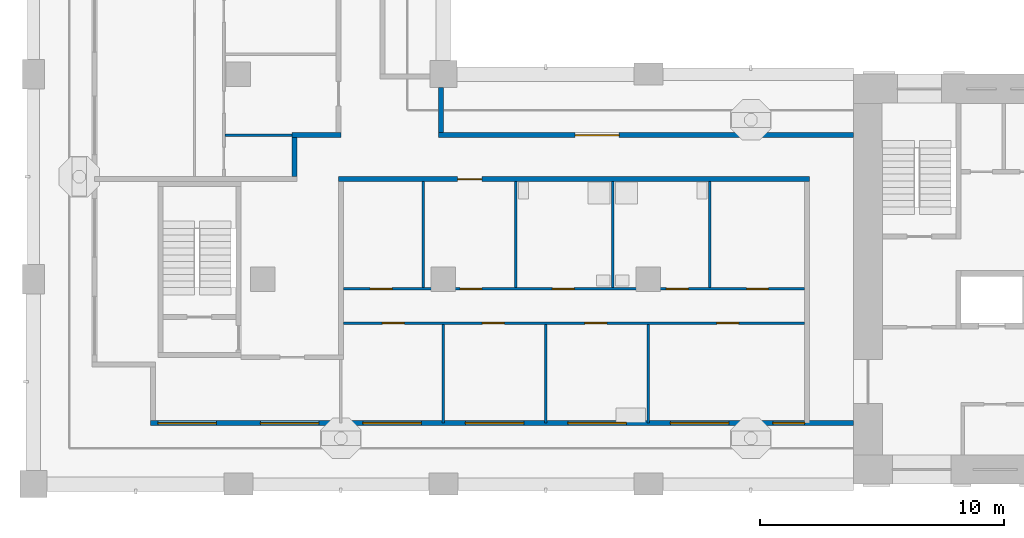
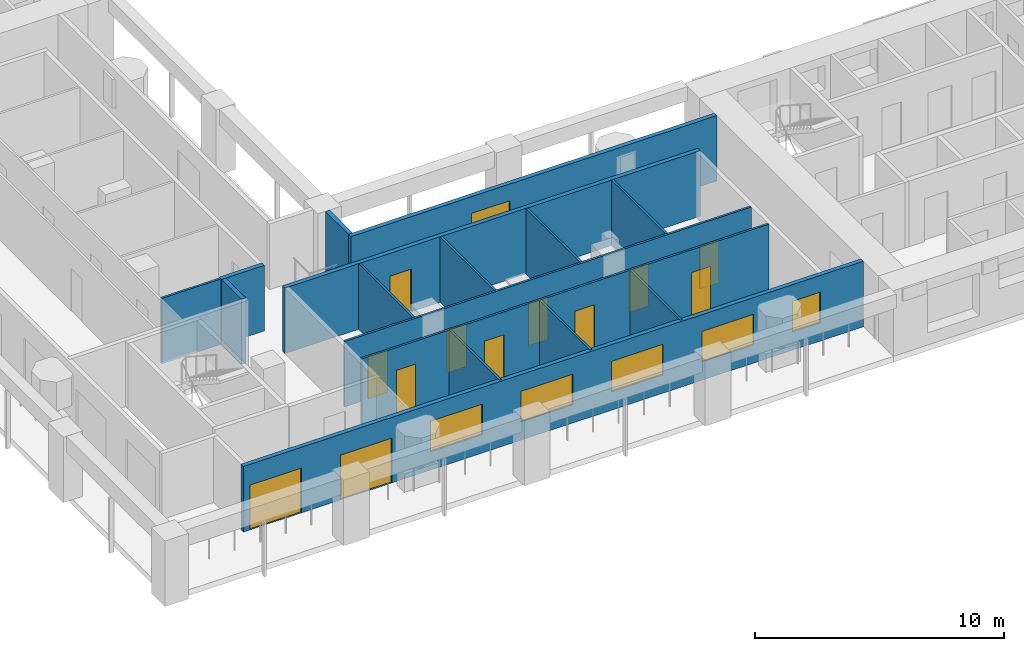
# One storey, part 2 of 13: 16 walls, 13 doors, 5 windows, 18 openings.
"""IFC4 building model written with IfcOpenShell, lengths in metres."""

from ifc_helpers import new_model, si_unit, direction, frame, frame_2d, origin, place, context, subcontext, project, spatial, rectangle, extrude, material, layer, layer_set, type_object, element, fill, save


model = new_model("IFC4")

# Units and contexts
model_context = context("Model", 3, precision=1e-05, world=origin(), true_north=direction((0.0, 1.0)))
body_context = subcontext(model_context, "Body", "Model", "MODEL_VIEW")
ifc_project = project(units=[si_unit("LENGTHUNIT", "METRE"), si_unit("AREAUNIT", "SQUARE_METRE"), si_unit("VOLUMEUNIT", "CUBIC_METRE"), si_unit("PLANEANGLEUNIT", "RADIAN"), si_unit("MASSUNIT", "GRAM", prefix="KILO")], contexts=[model_context])

# Site, building, storey
site_placement = place(None, origin())
site = spatial("IfcSite", under=ifc_project, at=site_placement, CompositionType="ELEMENT")
building_placement = place(site_placement, origin())
building = spatial("IfcBuilding", under=site, at=building_placement, Name="Vermilion Gate Residences", CompositionType="ELEMENT")
storey_placement = place(building_placement, frame((0.0, 0.0, 196.699951171875)))
storey = spatial("IfcBuildingStorey", under=building, at=storey_placement, Name="L51", CompositionType="ELEMENT", Elevation=196.699951171875)

# Wall, openings, doors, windows
ifc_material_1 = material(Name="Insulated steel stud wall with terracotta rainscreen", Category="masonry")
ifc_layer_1 = layer(ifc_material_1, 0.199951171875)
ifc_layer_set_1 = layer_set([ifc_layer_1], Name="EXTERNAL WALL 200 TERRACOTTA RAINSCREEN")
wall_type_1 = type_object("IfcWallType", Name="EXTERNAL WALL 200 TERRACOTTA RAINSCREEN", PredefinedType="SOLIDWALL", material=ifc_layer_set_1)
wall_1_placement = place(storey_placement, frame((13.199951171875, 10.89990234375, 0.0), z_axis=(0.0, 0.0, 1.0), x_axis=(1.0, 0.0, 0.0)))
wall_1 = element("IfcWall", 1, at=wall_1_placement, inside=storey, type_object=wall_type_1, Name="External wall", PredefinedType="SOLIDWALL", context=body_context, shape_type="SweptSolid", body=[
    extrude(rectangle(XDim=28.800048828125, YDim=0.199951171875, at=frame_2d((14.39990234375, 0.0))), origin(), (0.0, 0.0, 1.0), 3.219970703125),
])
opening_1_placement = place(wall_1_placement, frame((0.300048828125, 0.0, 0.0)))
opening_1 = element("IfcOpeningElement", 2, at=opening_1_placement, cuts=wall_1, Name="Opening DE51008", PredefinedType="OPENING", context=body_context, shape_type="SweptSolid", body=[
    extrude(rectangle(XDim=2.39990234375, YDim=2.199951171875, at=frame_2d((1.199951171875, 1.10009765625))), frame((0.0, 0.10986328125, 0.0), z_axis=(0.0, -1.0, 0.0), x_axis=(1.0, 0.0, 0.0)), (0.0, 0.0, 1.0), 0.219970703125),
])
opening_2_placement = place(wall_1_placement, frame((4.5, 0.0, 0.0)))
opening_2 = element("IfcOpeningElement", 3, at=opening_2_placement, cuts=wall_1, Name="Opening DE51009", PredefinedType="OPENING", context=body_context, shape_type="SweptSolid", body=[
    extrude(rectangle(XDim=2.39990234375, YDim=2.199951171875, at=frame_2d((1.199951171875, 1.10009765625))), frame((0.0, 0.10986328125, 0.0), z_axis=(0.0, -1.0, 0.0), x_axis=(1.0, 0.0, 0.0)), (0.0, 0.0, 1.0), 0.219970703125),
])
opening_3_placement = place(wall_1_placement, frame((8.699951171875, 0.0, 0.89990234375)))
opening_3 = element("IfcOpeningElement", 4, at=opening_3_placement, cuts=wall_1, Name="Opening WE51010", PredefinedType="OPENING", context=body_context, shape_type="SweptSolid", body=[
    extrude(rectangle(XDim=2.39990234375, YDim=1.5, at=frame_2d((1.199951171875, 0.75))), frame((0.0, 0.10986328125, 0.0), z_axis=(0.0, -1.0, 0.0), x_axis=(1.0, 0.0, 0.0)), (0.0, 0.0, 1.0), 0.219970703125),
])
opening_4_placement = place(wall_1_placement, frame((12.89990234375, 0.0, 0.89990234375)))
opening_4 = element("IfcOpeningElement", 5, at=opening_4_placement, cuts=wall_1, Name="Opening WE51011", PredefinedType="OPENING", context=body_context, shape_type="SweptSolid", body=[
    extrude(rectangle(XDim=2.39990234375, YDim=1.5, at=frame_2d((1.199951171875, 0.75))), frame((0.0, 0.10986328125, 0.0), z_axis=(0.0, -1.0, 0.0), x_axis=(1.0, 0.0, 0.0)), (0.0, 0.0, 1.0), 0.219970703125),
])
opening_5_placement = place(wall_1_placement, frame((17.10009765625, 0.0, 0.89990234375)))
opening_5 = element("IfcOpeningElement", 6, at=opening_5_placement, cuts=wall_1, Name="Opening WE51012", PredefinedType="OPENING", context=body_context, shape_type="SweptSolid", body=[
    extrude(rectangle(XDim=2.39990234375, YDim=1.5, at=frame_2d((1.199951171875, 0.75))), frame((0.0, 0.10986328125, 0.0), z_axis=(0.0, -1.0, 0.0), x_axis=(1.0, 0.0, 0.0)), (0.0, 0.0, 1.0), 0.219970703125),
])
opening_6_placement = place(wall_1_placement, frame((21.300048828125, 0.0, 0.89990234375)))
opening_6 = element("IfcOpeningElement", 7, at=opening_6_placement, cuts=wall_1, Name="Opening WE51013", PredefinedType="OPENING", context=body_context, shape_type="SweptSolid", body=[
    extrude(rectangle(XDim=2.39990234375, YDim=1.5, at=frame_2d((1.199951171875, 0.75))), frame((0.0, 0.10986328125, 0.0), z_axis=(0.0, -1.0, 0.0), x_axis=(1.0, 0.0, 0.0)), (0.0, 0.0, 1.0), 0.219970703125),
])
opening_7_placement = place(wall_1_placement, frame((25.5, 0.0, 0.89990234375)))
opening_7 = element("IfcOpeningElement", 8, at=opening_7_placement, cuts=wall_1, Name="Opening WE51014", PredefinedType="OPENING", context=body_context, shape_type="SweptSolid", body=[
    extrude(rectangle(XDim=1.300048828125, YDim=1.5, at=frame_2d((0.64990234375, 0.75))), frame((0.0, 0.10986328125, 0.0), z_axis=(0.0, -1.0, 0.0), x_axis=(1.0, 0.0, 0.0)), (0.0, 0.0, 1.0), 0.219970703125),
])
ifc_material_2 = material(Name="Aluminium and clear glass", Category="aluminium")
door_type_1 = type_object("IfcDoorType", Name="SLIDING GLAZED DOOR 2400 X 2200", OperationType="DOUBLE_DOOR_SLIDING", PredefinedType="DOOR", material=ifc_material_2)
door_1_placement = place(opening_1_placement, origin())
door_1 = element("IfcDoor", 9, at=door_1_placement, inside=storey, type_object=door_type_1, Name="Loggia sliding door", OperationType="DOUBLE_DOOR_SLIDING", OverallHeight=2.199951171875, OverallWidth=2.39990234375, PredefinedType="DOOR", context=body_context, shape_type="SweptSolid", body=[
    extrude(rectangle(XDim=2.39990234375, YDim=2.199951171875, at=frame_2d((1.199951171875, 1.10009765625))), frame((0.0, 0.02490234375, 0.0), z_axis=(0.0, -1.0, 0.0), x_axis=(1.0, 0.0, 0.0)), (0.0, 0.0, 1.0), 0.050048828125),
])
fill(opening_1, door_1)
door_2_placement = place(opening_2_placement, origin())
door_2 = element("IfcDoor", 10, at=door_2_placement, inside=storey, type_object=door_type_1, Name="Loggia sliding door", OperationType="DOUBLE_DOOR_SLIDING", OverallHeight=2.199951171875, OverallWidth=2.39990234375, PredefinedType="DOOR", context=body_context, shape_type="SweptSolid", body=[
    extrude(rectangle(XDim=2.39990234375, YDim=2.199951171875, at=frame_2d((1.199951171875, 1.10009765625))), frame((0.0, 0.02490234375, 0.0), z_axis=(0.0, -1.0, 0.0), x_axis=(1.0, 0.0, 0.0)), (0.0, 0.0, 1.0), 0.050048828125),
])
fill(opening_2, door_2)
ifc_material_3 = material(Name="Aluminium and clear glass", Category="aluminium")
window_type_1 = type_object("IfcWindowType", Name="WINDOW 1300 X 1500", PartitioningType="SINGLE_PANEL", PredefinedType="WINDOW", material=ifc_material_3)
window_1_placement = place(opening_7_placement, origin())
window_1 = element("IfcWindow", 11, at=window_1_placement, inside=storey, type_object=window_type_1, Name="Window", OverallHeight=1.5, OverallWidth=1.300048828125, PartitioningType="SINGLE_PANEL", PredefinedType="WINDOW", context=body_context, shape_type="SweptSolid", body=[
    extrude(rectangle(XDim=1.300048828125, YDim=1.5, at=frame_2d((0.64990234375, 0.75))), frame((0.0, 0.030029296875, 0.0), z_axis=(0.0, -1.0, 0.0), x_axis=(1.0, 0.0, 0.0)), (0.0, 0.0, 1.0), 0.06005859375),
])
fill(opening_7, window_1)
ifc_material_4 = material(Name="Aluminium and clear glass", Category="aluminium")
window_type_2 = type_object("IfcWindowType", Name="WINDOW 2400 X 1500", PartitioningType="SINGLE_PANEL", PredefinedType="WINDOW", material=ifc_material_4)
window_2_placement = place(opening_3_placement, origin())
window_2 = element("IfcWindow", 12, at=window_2_placement, inside=storey, type_object=window_type_2, Name="Window", OverallHeight=1.5, OverallWidth=2.39990234375, PartitioningType="SINGLE_PANEL", PredefinedType="WINDOW", context=body_context, shape_type="SweptSolid", body=[
    extrude(rectangle(XDim=2.39990234375, YDim=1.5, at=frame_2d((1.199951171875, 0.75))), frame((0.0, 0.030029296875, 0.0), z_axis=(0.0, -1.0, 0.0), x_axis=(1.0, 0.0, 0.0)), (0.0, 0.0, 1.0), 0.06005859375),
])
fill(opening_3, window_2)
window_3_placement = place(opening_4_placement, origin())
window_3 = element("IfcWindow", 13, at=window_3_placement, inside=storey, type_object=window_type_2, Name="Window", OverallHeight=1.5, OverallWidth=2.39990234375, PartitioningType="SINGLE_PANEL", PredefinedType="WINDOW", context=body_context, shape_type="SweptSolid", body=[
    extrude(rectangle(XDim=2.39990234375, YDim=1.5, at=frame_2d((1.199951171875, 0.75))), frame((0.0, 0.030029296875, 0.0), z_axis=(0.0, -1.0, 0.0), x_axis=(1.0, 0.0, 0.0)), (0.0, 0.0, 1.0), 0.06005859375),
])
fill(opening_4, window_3)
window_4_placement = place(opening_5_placement, origin())
window_4 = element("IfcWindow", 14, at=window_4_placement, inside=storey, type_object=window_type_2, Name="Window", OverallHeight=1.5, OverallWidth=2.39990234375, PartitioningType="SINGLE_PANEL", PredefinedType="WINDOW", context=body_context, shape_type="SweptSolid", body=[
    extrude(rectangle(XDim=2.39990234375, YDim=1.5, at=frame_2d((1.199951171875, 0.75))), frame((0.0, 0.030029296875, 0.0), z_axis=(0.0, -1.0, 0.0), x_axis=(1.0, 0.0, 0.0)), (0.0, 0.0, 1.0), 0.06005859375),
])
fill(opening_5, window_4)
window_5_placement = place(opening_6_placement, origin())
window_5 = element("IfcWindow", 15, at=window_5_placement, inside=storey, type_object=window_type_2, Name="Window", OverallHeight=1.5, OverallWidth=2.39990234375, PartitioningType="SINGLE_PANEL", PredefinedType="WINDOW", context=body_context, shape_type="SweptSolid", body=[
    extrude(rectangle(XDim=2.39990234375, YDim=1.5, at=frame_2d((1.199951171875, 0.75))), frame((0.0, 0.030029296875, 0.0), z_axis=(0.0, -1.0, 0.0), x_axis=(1.0, 0.0, 0.0)), (0.0, 0.0, 1.0), 0.06005859375),
])
fill(opening_6, window_5)

# Wall, opening, door
wall_2_placement = place(storey_placement, frame((42.0, 22.699951171875, 0.0), z_axis=(0.0, 0.0, 1.0), x_axis=(-1.0, 0.0, 0.0)))
wall_2 = element("IfcWall", 16, at=wall_2_placement, inside=storey, type_object=wall_type_1, Name="External wall", PredefinedType="SOLIDWALL", context=body_context, shape_type="SweptSolid", body=[
    extrude(rectangle(XDim=17.0, YDim=0.199951171875, at=frame_2d((8.5, 0.0))), origin(), (0.0, 0.0, 1.0), 3.219970703125),
])
opening_8_placement = place(wall_2_placement, frame((9.60009765625, 0.0, 0.0)))
opening_8 = element("IfcOpeningElement", 17, at=opening_8_placement, cuts=wall_2, Name="Opening DE51020", PredefinedType="OPENING", context=body_context, shape_type="SweptSolid", body=[
    extrude(rectangle(XDim=1.800048828125, YDim=2.39990234375, at=frame_2d((0.89990234375, 1.199951171875))), frame((0.0, 0.10986328125, 0.0), z_axis=(0.0, -1.0, 0.0), x_axis=(1.0, 0.0, 0.0)), (0.0, 0.0, 1.0), 0.219970703125),
])
ifc_material_5 = material(Name="Aluminium and clear glass", Category="aluminium")
door_type_2 = type_object("IfcDoorType", Name="GLAZED EXTERNAL DOOR 1800 X 2400", OperationType="DOUBLE_DOOR_SINGLE_SWING", PredefinedType="DOOR", material=ifc_material_5)
door_3_placement = place(opening_8_placement, frame((1.800048828125, 0.0, 0.0), z_axis=(0.0, 0.0, 1.0), x_axis=(-1.0, 0.0, 0.0)))
door_3 = element("IfcDoor", 18, at=door_3_placement, inside=storey, type_object=door_type_2, Name="Gallery door", OperationType="DOUBLE_DOOR_SINGLE_SWING", OverallHeight=2.39990234375, OverallWidth=1.800048828125, PredefinedType="DOOR", context=body_context, shape_type="SweptSolid", body=[
    extrude(rectangle(XDim=1.800048828125, YDim=2.39990234375, at=frame_2d((0.89990234375, 1.199951171875))), frame((0.0, 0.02490234375, 0.0), z_axis=(0.0, -1.0, 0.0), x_axis=(1.0, 0.0, 0.0)), (0.0, 0.0, 1.0), 0.050048828125),
])
fill(opening_8, door_3)

# Wall
wall_3_placement = place(storey_placement, frame((25.10009765625, 22.800048828125, 0.0), z_axis=(0.0, 0.0, 1.0), x_axis=(0.0, 1.0, 0.0)))
element("IfcWall", 19, at=wall_3_placement, inside=storey, type_object=wall_type_1, Name="External wall", PredefinedType="SOLIDWALL", context=body_context, shape_type="SweptSolid", body=[
    extrude(rectangle(XDim=1.849853515625, YDim=0.199951171875, at=frame_2d((0.9248046875, 0.0))), origin(), (0.0, 0.0, 1.0), 3.219970703125),
])

# Wall, openings, doors
ifc_material_6 = material(Name="Plasterboard on steel studs", Category="steel")
ifc_layer_2 = layer(ifc_material_6, 0.10009765625)
ifc_layer_set_2 = layer_set([ifc_layer_2], Name="PARTITION 100")
wall_type_2 = type_object("IfcWallType", Name="PARTITION 100", PredefinedType="PARTITIONING", material=ifc_layer_set_2)
wall_4_placement = place(storey_placement, frame((21.10009765625, 15.0, 0.0), z_axis=(0.0, 0.0, 1.0), x_axis=(1.0, 0.0, 0.0)))
wall_4 = element("IfcWall", 20, at=wall_4_placement, inside=storey, type_object=wall_type_2, Name="Partition", PredefinedType="PARTITIONING", context=body_context, shape_type="SweptSolid", body=[
    extrude(rectangle(XDim=18.89990234375, YDim=0.10009765625, at=frame_2d((9.449951171875, 0.0))), origin(), (0.0, 0.0, 1.0), 3.219970703125),
])
opening_9_placement = place(wall_4_placement, frame((1.60009765625, 0.0, 0.0)))
opening_9 = element("IfcOpeningElement", 21, at=opening_9_placement, cuts=wall_4, Name="Opening DA49002", PredefinedType="OPENING", context=body_context, shape_type="SweptSolid", body=[
    extrude(rectangle(XDim=0.89990234375, YDim=2.10009765625, at=frame_2d((0.449951171875, 1.050048828125))), frame((0.0, 0.06005859375, 0.0), z_axis=(0.0, -1.0, 0.0), x_axis=(1.0, 0.0, 0.0)), (0.0, 0.0, 1.0), 0.1201171875),
])
opening_10_placement = place(wall_4_placement, frame((5.699951171875, 0.0, 0.0)))
opening_10 = element("IfcOpeningElement", 22, at=opening_10_placement, cuts=wall_4, Name="Opening DA49003", PredefinedType="OPENING", context=body_context, shape_type="SweptSolid", body=[
    extrude(rectangle(XDim=0.89990234375, YDim=2.10009765625, at=frame_2d((0.449951171875, 1.050048828125))), frame((0.0, 0.06005859375, 0.0), z_axis=(0.0, -1.0, 0.0), x_axis=(1.0, 0.0, 0.0)), (0.0, 0.0, 1.0), 0.1201171875),
])
opening_11_placement = place(wall_4_placement, frame((9.89990234375, 0.0, 0.0)))
opening_11 = element("IfcOpeningElement", 23, at=opening_11_placement, cuts=wall_4, Name="Opening DA49004", PredefinedType="OPENING", context=body_context, shape_type="SweptSolid", body=[
    extrude(rectangle(XDim=0.89990234375, YDim=2.10009765625, at=frame_2d((0.449951171875, 1.050048828125))), frame((0.0, 0.06005859375, 0.0), z_axis=(0.0, -1.0, 0.0), x_axis=(1.0, 0.0, 0.0)), (0.0, 0.0, 1.0), 0.1201171875),
])
opening_12_placement = place(wall_4_placement, frame((15.300048828125, 0.0, 0.0)))
opening_12 = element("IfcOpeningElement", 24, at=opening_12_placement, cuts=wall_4, Name="Opening DA49005", PredefinedType="OPENING", context=body_context, shape_type="SweptSolid", body=[
    extrude(rectangle(XDim=0.89990234375, YDim=2.10009765625, at=frame_2d((0.449951171875, 1.050048828125))), frame((0.0, 0.06005859375, 0.0), z_axis=(0.0, -1.0, 0.0), x_axis=(1.0, 0.0, 0.0)), (0.0, 0.0, 1.0), 0.1201171875),
])
ifc_material_7 = material(Name="Timber", Category="wood")
door_type_3 = type_object("IfcDoorType", Name="INTERIOR DOOR 900 X 2100", OperationType="SINGLE_SWING_LEFT", PredefinedType="DOOR", material=ifc_material_7)
door_4_placement = place(opening_9_placement, frame((0.89990234375, 0.0, 0.0), z_axis=(0.0, 0.0, 1.0), x_axis=(-1.0, 0.0, 0.0)))
door_4 = element("IfcDoor", 25, at=door_4_placement, inside=storey, type_object=door_type_3, Name="Interior door", OperationType="SINGLE_SWING_LEFT", OverallHeight=2.10009765625, OverallWidth=0.89990234375, PredefinedType="DOOR", context=body_context, shape_type="SweptSolid", body=[
    extrude(rectangle(XDim=0.89990234375, YDim=2.10009765625, at=frame_2d((0.449951171875, 1.050048828125))), frame((0.0, 0.02490234375, 0.0), z_axis=(0.0, -1.0, 0.0), x_axis=(1.0, 0.0, 0.0)), (0.0, 0.0, 1.0), 0.050048828125),
])
fill(opening_9, door_4)
door_5_placement = place(opening_10_placement, frame((0.89990234375, 0.0, 0.0), z_axis=(0.0, 0.0, 1.0), x_axis=(-1.0, 0.0, 0.0)))
door_5 = element("IfcDoor", 26, at=door_5_placement, inside=storey, type_object=door_type_3, Name="Interior door", OperationType="SINGLE_SWING_RIGHT", OverallHeight=2.10009765625, OverallWidth=0.89990234375, PredefinedType="DOOR", context=body_context, shape_type="SweptSolid", body=[
    extrude(rectangle(XDim=0.89990234375, YDim=2.10009765625, at=frame_2d((0.449951171875, 1.050048828125))), frame((0.0, 0.02490234375, 0.0), z_axis=(0.0, -1.0, 0.0), x_axis=(1.0, 0.0, 0.0)), (0.0, 0.0, 1.0), 0.050048828125),
])
fill(opening_10, door_5)
door_6_placement = place(opening_11_placement, frame((0.89990234375, 0.0, 0.0), z_axis=(0.0, 0.0, 1.0), x_axis=(-1.0, 0.0, 0.0)))
door_6 = element("IfcDoor", 27, at=door_6_placement, inside=storey, type_object=door_type_3, Name="Interior door", OperationType="SINGLE_SWING_RIGHT", OverallHeight=2.10009765625, OverallWidth=0.89990234375, PredefinedType="DOOR", context=body_context, shape_type="SweptSolid", body=[
    extrude(rectangle(XDim=0.89990234375, YDim=2.10009765625, at=frame_2d((0.449951171875, 1.050048828125))), frame((0.0, 0.02490234375, 0.0), z_axis=(0.0, -1.0, 0.0), x_axis=(1.0, 0.0, 0.0)), (0.0, 0.0, 1.0), 0.050048828125),
])
fill(opening_11, door_6)
door_7_placement = place(opening_12_placement, frame((0.89990234375, 0.0, 0.0), z_axis=(0.0, 0.0, 1.0), x_axis=(-1.0, 0.0, 0.0)))
door_7 = element("IfcDoor", 28, at=door_7_placement, inside=storey, type_object=door_type_3, Name="Interior door", OperationType="SINGLE_SWING_LEFT", OverallHeight=2.10009765625, OverallWidth=0.89990234375, PredefinedType="DOOR", context=body_context, shape_type="SweptSolid", body=[
    extrude(rectangle(XDim=0.89990234375, YDim=2.10009765625, at=frame_2d((0.449951171875, 1.050048828125))), frame((0.0, 0.02490234375, 0.0), z_axis=(0.0, -1.0, 0.0), x_axis=(1.0, 0.0, 0.0)), (0.0, 0.0, 1.0), 0.050048828125),
])
fill(opening_12, door_7)

wall_5_placement = place(storey_placement, frame((21.10009765625, 16.39990234375, 0.0), z_axis=(0.0, 0.0, 1.0), x_axis=(1.0, 0.0, 0.0)))
wall_5 = element("IfcWall", 29, at=wall_5_placement, inside=storey, type_object=wall_type_2, Name="Partition", PredefinedType="PARTITIONING", context=body_context, shape_type="SweptSolid", body=[
    extrude(rectangle(XDim=18.89990234375, YDim=0.10009765625, at=frame_2d((9.449951171875, 0.0))), origin(), (0.0, 0.0, 1.0), 3.219970703125),
])
opening_13_placement = place(wall_5_placement, frame((4.780029296875, 0.0, 0.0)))
opening_13 = element("IfcOpeningElement", 30, at=opening_13_placement, cuts=wall_5, Name="Opening DA49006", PredefinedType="OPENING", context=body_context, shape_type="SweptSolid", body=[
    extrude(rectangle(XDim=0.89990234375, YDim=2.10009765625, at=frame_2d((0.449951171875, 1.050048828125))), frame((0.0, 0.06005859375, 0.0), z_axis=(0.0, -1.0, 0.0), x_axis=(1.0, 0.0, 0.0)), (0.0, 0.0, 1.0), 0.1201171875),
])
opening_14_placement = place(wall_5_placement, frame((1.10009765625, 0.0, 0.0)))
opening_14 = element("IfcOpeningElement", 31, at=opening_14_placement, cuts=wall_5, Name="Opening DA49007", PredefinedType="OPENING", context=body_context, shape_type="SweptSolid", body=[
    extrude(rectangle(XDim=0.89990234375, YDim=2.10009765625, at=frame_2d((0.449951171875, 1.050048828125))), frame((0.0, 0.06005859375, 0.0), z_axis=(0.0, -1.0, 0.0), x_axis=(1.0, 0.0, 0.0)), (0.0, 0.0, 1.0), 0.1201171875),
])
opening_15_placement = place(wall_5_placement, frame((8.56005859375, 0.0, 0.0)))
opening_15 = element("IfcOpeningElement", 32, at=opening_15_placement, cuts=wall_5, Name="Opening DA49008", PredefinedType="OPENING", context=body_context, shape_type="SweptSolid", body=[
    extrude(rectangle(XDim=0.89990234375, YDim=2.10009765625, at=frame_2d((0.449951171875, 1.050048828125))), frame((0.0, 0.06005859375, 0.0), z_axis=(0.0, -1.0, 0.0), x_axis=(1.0, 0.0, 0.0)), (0.0, 0.0, 1.0), 0.1201171875),
])
opening_16_placement = place(wall_5_placement, frame((13.239990234375, 0.0, 0.0)))
opening_16 = element("IfcOpeningElement", 33, at=opening_16_placement, cuts=wall_5, Name="Opening DA49009", PredefinedType="OPENING", context=body_context, shape_type="SweptSolid", body=[
    extrude(rectangle(XDim=0.89990234375, YDim=2.10009765625, at=frame_2d((0.449951171875, 1.050048828125))), frame((0.0, 0.06005859375, 0.0), z_axis=(0.0, -1.0, 0.0), x_axis=(1.0, 0.0, 0.0)), (0.0, 0.0, 1.0), 0.1201171875),
])
opening_17_placement = place(wall_5_placement, frame((16.52001953125, 0.0, 0.0)))
opening_17 = element("IfcOpeningElement", 34, at=opening_17_placement, cuts=wall_5, Name="Opening DA49010", PredefinedType="OPENING", context=body_context, shape_type="SweptSolid", body=[
    extrude(rectangle(XDim=0.89990234375, YDim=2.10009765625, at=frame_2d((0.449951171875, 1.050048828125))), frame((0.0, 0.06005859375, 0.0), z_axis=(0.0, -1.0, 0.0), x_axis=(1.0, 0.0, 0.0)), (0.0, 0.0, 1.0), 0.1201171875),
])
door_8_placement = place(opening_13_placement, origin())
door_8 = element("IfcDoor", 35, at=door_8_placement, inside=storey, type_object=door_type_3, Name="Interior door", OperationType="SINGLE_SWING_LEFT", OverallHeight=2.10009765625, OverallWidth=0.89990234375, PredefinedType="DOOR", context=body_context, shape_type="SweptSolid", body=[
    extrude(rectangle(XDim=0.89990234375, YDim=2.10009765625, at=frame_2d((0.449951171875, 1.050048828125))), frame((0.0, 0.02490234375, 0.0), z_axis=(0.0, -1.0, 0.0), x_axis=(1.0, 0.0, 0.0)), (0.0, 0.0, 1.0), 0.050048828125),
])
fill(opening_13, door_8)
door_9_placement = place(opening_14_placement, origin())
door_9 = element("IfcDoor", 36, at=door_9_placement, inside=storey, type_object=door_type_3, Name="Interior door", OperationType="SINGLE_SWING_LEFT", OverallHeight=2.10009765625, OverallWidth=0.89990234375, PredefinedType="DOOR", context=body_context, shape_type="SweptSolid", body=[
    extrude(rectangle(XDim=0.89990234375, YDim=2.10009765625, at=frame_2d((0.449951171875, 1.050048828125))), frame((0.0, 0.02490234375, 0.0), z_axis=(0.0, -1.0, 0.0), x_axis=(1.0, 0.0, 0.0)), (0.0, 0.0, 1.0), 0.050048828125),
])
fill(opening_14, door_9)
door_10_placement = place(opening_15_placement, origin())
door_10 = element("IfcDoor", 37, at=door_10_placement, inside=storey, type_object=door_type_3, Name="Interior door", OperationType="SINGLE_SWING_RIGHT", OverallHeight=2.10009765625, OverallWidth=0.89990234375, PredefinedType="DOOR", context=body_context, shape_type="SweptSolid", body=[
    extrude(rectangle(XDim=0.89990234375, YDim=2.10009765625, at=frame_2d((0.449951171875, 1.050048828125))), frame((0.0, 0.02490234375, 0.0), z_axis=(0.0, -1.0, 0.0), x_axis=(1.0, 0.0, 0.0)), (0.0, 0.0, 1.0), 0.050048828125),
])
fill(opening_15, door_10)
door_11_placement = place(opening_16_placement, origin())
door_11 = element("IfcDoor", 38, at=door_11_placement, inside=storey, type_object=door_type_3, Name="Interior door", OperationType="SINGLE_SWING_LEFT", OverallHeight=2.10009765625, OverallWidth=0.89990234375, PredefinedType="DOOR", context=body_context, shape_type="SweptSolid", body=[
    extrude(rectangle(XDim=0.89990234375, YDim=2.10009765625, at=frame_2d((0.449951171875, 1.050048828125))), frame((0.0, 0.02490234375, 0.0), z_axis=(0.0, -1.0, 0.0), x_axis=(1.0, 0.0, 0.0)), (0.0, 0.0, 1.0), 0.050048828125),
])
fill(opening_16, door_11)
door_12_placement = place(opening_17_placement, origin())
door_12 = element("IfcDoor", 39, at=door_12_placement, inside=storey, type_object=door_type_3, Name="Interior door", OperationType="SINGLE_SWING_LEFT", OverallHeight=2.10009765625, OverallWidth=0.89990234375, PredefinedType="DOOR", context=body_context, shape_type="SweptSolid", body=[
    extrude(rectangle(XDim=0.89990234375, YDim=2.10009765625, at=frame_2d((0.449951171875, 1.050048828125))), frame((0.0, 0.02490234375, 0.0), z_axis=(0.0, -1.0, 0.0), x_axis=(1.0, 0.0, 0.0)), (0.0, 0.0, 1.0), 0.050048828125),
])
fill(opening_17, door_12)

# Walls
wall_6_placement = place(storey_placement, frame((16.25, 22.699951171875, 0.0), z_axis=(0.0, 0.0, 1.0), x_axis=(1.0, 0.0, 0.0)))
element("IfcWall", 40, at=wall_6_placement, inside=storey, type_object=wall_type_2, Name="Partition", PredefinedType="PARTITIONING", context=body_context, shape_type="SweptSolid", body=[
    extrude(rectangle(XDim=2.75, YDim=0.10009765625, at=frame_2d((1.375, 0.0))), origin(), (0.0, 0.0, 1.0), 3.219970703125),
])
wall_7_placement = place(storey_placement, frame((24.3798828125, 16.449951171875, 0.0), z_axis=(0.0, 0.0, 1.0), x_axis=(0.0, 1.0, 0.0)))
element("IfcWall", 41, at=wall_7_placement, inside=storey, type_object=wall_type_2, Name="Partition", PredefinedType="PARTITIONING", context=body_context, shape_type="SweptSolid", body=[
    extrude(rectangle(XDim=4.35009765625, YDim=0.10009765625, at=frame_2d((2.175048828125, 0.0))), origin(), (0.0, 0.0, 1.0), 3.219970703125),
])
wall_8_placement = place(storey_placement, frame((25.199951171875, 10.89990234375, 0.0), z_axis=(0.0, 0.0, 1.0), x_axis=(0.0, 1.0, 0.0)))
element("IfcWall", 42, at=wall_8_placement, inside=storey, type_object=wall_type_2, Name="Partition", PredefinedType="PARTITIONING", context=body_context, shape_type="SweptSolid", body=[
    extrude(rectangle(XDim=4.050048828125, YDim=0.10009765625, at=frame_2d((2.02490234375, 0.0))), origin(), (0.0, 0.0, 1.0), 3.219970703125),
])
wall_9_placement = place(storey_placement, frame((28.159912109375, 16.449951171875, 0.0), z_axis=(0.0, 0.0, 1.0), x_axis=(0.0, 1.0, 0.0)))
element("IfcWall", 43, at=wall_9_placement, inside=storey, type_object=wall_type_2, Name="Partition", PredefinedType="PARTITIONING", context=body_context, shape_type="SweptSolid", body=[
    extrude(rectangle(XDim=4.35009765625, YDim=0.10009765625, at=frame_2d((2.175048828125, 0.0))), origin(), (0.0, 0.0, 1.0), 3.219970703125),
])
wall_10_placement = place(storey_placement, frame((29.39990234375, 10.89990234375, 0.0), z_axis=(0.0, 0.0, 1.0), x_axis=(0.0, 1.0, 0.0)))
element("IfcWall", 44, at=wall_10_placement, inside=storey, type_object=wall_type_2, Name="Partition", PredefinedType="PARTITIONING", context=body_context, shape_type="SweptSolid", body=[
    extrude(rectangle(XDim=4.050048828125, YDim=0.10009765625, at=frame_2d((2.02490234375, 0.0))), origin(), (0.0, 0.0, 1.0), 3.219970703125),
])
wall_11_placement = place(storey_placement, frame((32.139892578125, 16.449951171875, 0.0), z_axis=(0.0, 0.0, 1.0), x_axis=(0.0, 1.0, 0.0)))
element("IfcWall", 45, at=wall_11_placement, inside=storey, type_object=wall_type_2, Name="Partition", PredefinedType="PARTITIONING", context=body_context, shape_type="SweptSolid", body=[
    extrude(rectangle(XDim=4.35009765625, YDim=0.10009765625, at=frame_2d((2.175048828125, 0.0))), origin(), (0.0, 0.0, 1.0), 3.219970703125),
])
wall_12_placement = place(storey_placement, frame((33.60009765625, 10.89990234375, 0.0), z_axis=(0.0, 0.0, 1.0), x_axis=(0.0, 1.0, 0.0)))
element("IfcWall", 46, at=wall_12_placement, inside=storey, type_object=wall_type_2, Name="Partition", PredefinedType="PARTITIONING", context=body_context, shape_type="SweptSolid", body=[
    extrude(rectangle(XDim=4.050048828125, YDim=0.10009765625, at=frame_2d((2.02490234375, 0.0))), origin(), (0.0, 0.0, 1.0), 3.219970703125),
])
wall_13_placement = place(storey_placement, frame((36.1201171875, 16.449951171875, 0.0), z_axis=(0.0, 0.0, 1.0), x_axis=(0.0, 1.0, 0.0)))
element("IfcWall", 47, at=wall_13_placement, inside=storey, type_object=wall_type_2, Name="Partition", PredefinedType="PARTITIONING", context=body_context, shape_type="SweptSolid", body=[
    extrude(rectangle(XDim=4.35009765625, YDim=0.10009765625, at=frame_2d((2.175048828125, 0.0))), origin(), (0.0, 0.0, 1.0), 3.219970703125),
])

# Wall, opening, door
ifc_material_8 = material(Name="Fire-rated plasterboard on steel studs", Category="steel")
ifc_layer_3 = layer(ifc_material_8, 0.199951171875)
ifc_layer_set_3 = layer_set([ifc_layer_3], Name="PARTY WALL 200 EI 120")
wall_type_3 = type_object("IfcWallType", Name="PARTY WALL 200 EI 120", PredefinedType="PARTITIONING", material=ifc_layer_set_3)
wall_14_placement = place(storey_placement, frame((20.89990234375, 20.89990234375, 0.0), z_axis=(0.0, 0.0, 1.0), x_axis=(1.0, 0.0, 0.0)))
wall_14 = element("IfcWall", 48, at=wall_14_placement, inside=storey, type_object=wall_type_3, Name="Party and corridor wall", PredefinedType="PARTITIONING", context=body_context, shape_type="SweptSolid", body=[
    extrude(rectangle(XDim=19.300048828125, YDim=0.199951171875, at=frame_2d((9.64990234375, 0.0))), origin(), (0.0, 0.0, 1.0), 3.219970703125),
])
opening_18_placement = place(wall_14_placement, frame((4.8798828125, 0.0, 0.0)))
opening_18 = element("IfcOpeningElement", 49, at=opening_18_placement, cuts=wall_14, Name="Opening DA49011", PredefinedType="OPENING", context=body_context, shape_type="SweptSolid", body=[
    extrude(rectangle(XDim=1.0, YDim=2.10009765625, at=frame_2d((0.5, 1.050048828125))), frame((0.0, 0.10986328125, 0.0), z_axis=(0.0, -1.0, 0.0), x_axis=(1.0, 0.0, 0.0)), (0.0, 0.0, 1.0), 0.219970703125),
])
ifc_material_9 = material(Name="Steel", Category="steel")
door_type_4 = type_object("IfcDoorType", Name="ENTRANCE DOOR 1000 X 2100 FD30", OperationType="SINGLE_SWING_LEFT", PredefinedType="DOOR", material=ifc_material_9)
door_13_placement = place(opening_18_placement, frame((1.0, 0.0, 0.0), z_axis=(0.0, 0.0, 1.0), x_axis=(-1.0, 0.0, 0.0)))
door_13 = element("IfcDoor", 50, at=door_13_placement, inside=storey, type_object=door_type_4, Name="Entrance door", OperationType="SINGLE_SWING_LEFT", OverallHeight=2.10009765625, OverallWidth=1.0, PredefinedType="DOOR", context=body_context, shape_type="SweptSolid", body=[
    extrude(rectangle(XDim=1.0, YDim=2.10009765625, at=frame_2d((0.5, 1.050048828125))), frame((0.0, 0.02490234375, 0.0), z_axis=(0.0, -1.0, 0.0), x_axis=(1.0, 0.0, 0.0)), (0.0, 0.0, 1.0), 0.050048828125),
])
fill(opening_18, door_13)

# Walls
wall_15_placement = place(storey_placement, frame((19.0, 22.699951171875, 0.0), z_axis=(0.0, 0.0, 1.0), x_axis=(1.0, 0.0, 0.0)))
element("IfcWall", 51, at=wall_15_placement, inside=storey, type_object=wall_type_3, Name="Party and corridor wall", PredefinedType="PARTITIONING", context=body_context, shape_type="SweptSolid", body=[
    extrude(rectangle(XDim=2.0, YDim=0.199951171875, at=frame_2d((1.0, 0.0))), origin(), (0.0, 0.0, 1.0), 3.219970703125),
])
wall_16_placement = place(storey_placement, frame((19.10009765625, 21.0, 0.0), z_axis=(0.0, 0.0, 1.0), x_axis=(0.0, 1.0, 0.0)))
element("IfcWall", 52, at=wall_16_placement, inside=storey, type_object=wall_type_3, Name="Party and corridor wall", PredefinedType="PARTITIONING", context=body_context, shape_type="SweptSolid", body=[
    extrude(rectangle(XDim=1.60009765625, YDim=0.199951171875, at=frame_2d((0.800048828125, 0.0))), origin(), (0.0, 0.0, 1.0), 3.219970703125),
])

save(model, "model.ifc")
